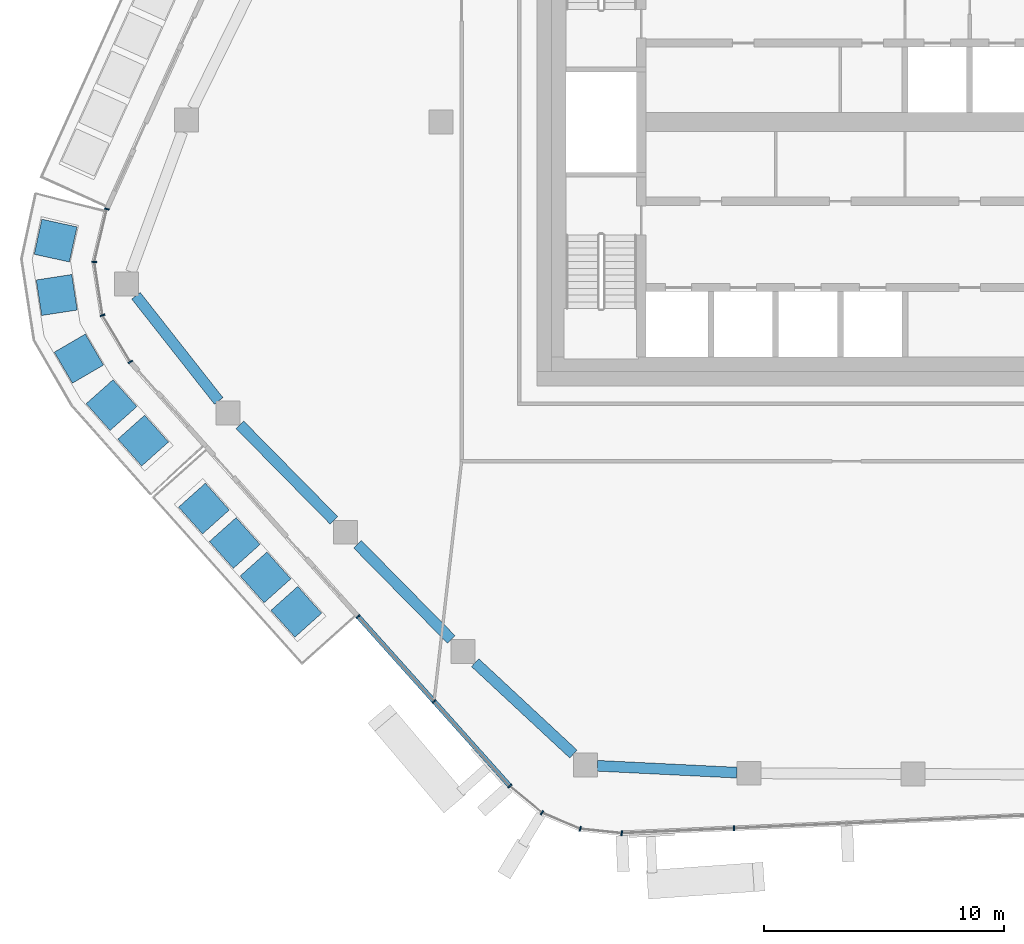
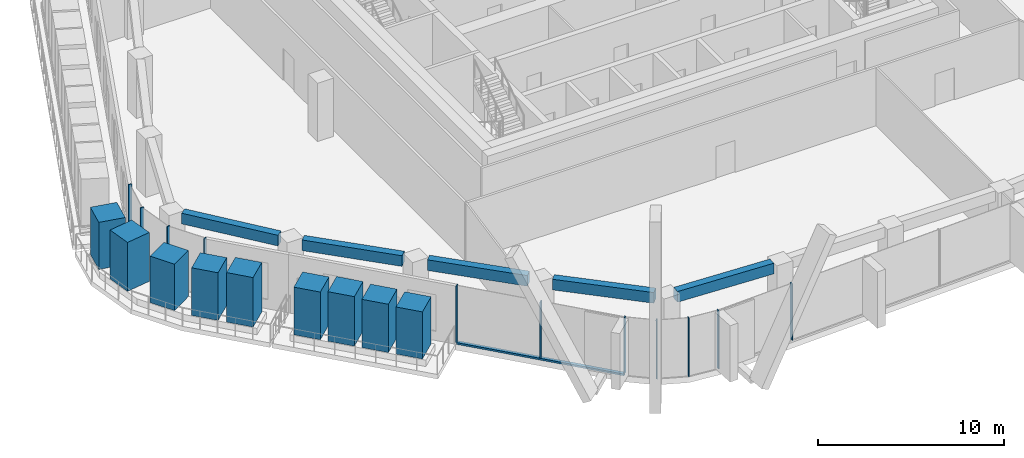
# One storey, part 2 of 23: 21 members, 5 beams, 4 elements without a shape of their own.
"""IFC4 building model written with IfcOpenShell, lengths in metres."""

from ifc_helpers import new_model, si_unit, direction, frame, origin, origin_2d, place, context, subcontext, project, spatial, rectangle, extrude, material, layer, layer_set, material_profile, profile_set, type_object, element, aggregate, save


model = new_model("IFC4")

# Units and contexts
model_context = context("Model", 3, precision=1e-05, world=origin(), true_north=direction((0.0, 1.0)))
body_context = subcontext(model_context, "Body", "Model", "MODEL_VIEW")
ifc_project = project(units=[si_unit("LENGTHUNIT", "METRE"), si_unit("AREAUNIT", "SQUARE_METRE"), si_unit("VOLUMEUNIT", "CUBIC_METRE"), si_unit("PLANEANGLEUNIT", "RADIAN"), si_unit("MASSUNIT", "GRAM", prefix="KILO")], contexts=[model_context])

# Site, building, storey
site_placement = place(None, origin())
site = spatial("IfcSite", under=ifc_project, at=site_placement, CompositionType="ELEMENT")
building_placement = place(site_placement, origin())
building = spatial("IfcBuilding", under=site, at=building_placement, Name="Dongbaek Canopy Tower", CompositionType="ELEMENT")
storey_placement = place(building_placement, frame((0.0, 0.0, 319.39990234375)))
storey = spatial("IfcBuildingStorey", under=building, at=storey_placement, Name="L68", CompositionType="ELEMENT", Elevation=319.39990234375)

# Curtain wall, members
ifc_material_1 = material(Name="Aluminium 6063-T6 pale anodised", Category="aluminium")
ifc_layer = layer(ifc_material_1, 0.199951171875)
ifc_layer_set = layer_set([ifc_layer], Name="CW-1 unitised tower curtain wall")
curtain_wall_type = type_object("IfcCurtainWallType", Name="CW-1 unitised tower curtain wall", PredefinedType="NOTDEFINED", material=ifc_layer_set)
curtain_wall_1_placement = place(storey_placement, origin())
curtain_wall_1 = element("IfcCurtainWall", 1, at=curtain_wall_1_placement, inside=storey, type_object=curtain_wall_type, Name="CW-1 curtain wall K3.1", PredefinedType="NOTDEFINED")
ifc_material_2 = material(Name="Aluminium 6063-T6 pale anodised", Category="aluminium")
ifc_material_profile_1 = material_profile(ifc_material_2, rectangle(XDim=0.199951171875, YDim=0.06005859375, at=origin_2d()), Name="CW-1 mullion 60 x 200")
ifc_profile_set_1 = profile_set([ifc_material_profile_1], Name="Aluminium 6063-T6 pale anodised")
member_type_1 = type_object("IfcMemberType", Name="CW-1 mullion 60 x 200", PredefinedType="MULLION", material=ifc_profile_set_1)
member_1_placement = place(storey_placement, frame((-31.9521484375, -3.625244140625, 0.0), z_axis=(0.0, 0.0, 1.0), x_axis=(-0.973135778098, 0.2302319643, 0.0)))
member_1 = element("IfcMember", 2, at=member_1_placement, type_object=member_type_1, Name="CW-1 mullion K3.1.1", PredefinedType="MULLION", context=body_context, shape_type="SweptSolid", body=[
    extrude(rectangle(XDim=0.199951171875, YDim=0.06005859375, at=origin_2d()), origin(), (0.0, 0.0, 1.0), 3.820068359375),
])
member_2_placement = place(storey_placement, frame((-32.473876953125, -5.83056640625, 0.0), z_axis=(0.0, 0.0, 1.0), x_axis=(-0.999206093675, 0.039839457356, 0.0)))
member_2 = element("IfcMember", 3, at=member_2_placement, type_object=member_type_1, Name="CW-1 mullion K3.1.2", PredefinedType="MULLION", context=body_context, shape_type="SweptSolid", body=[
    extrude(rectangle(XDim=0.199951171875, YDim=0.06005859375, at=origin_2d()), origin(), (0.0, 0.0, 1.0), 3.820068359375),
])
member_3_placement = place(storey_placement, frame((-32.130859375, -8.060791015625, 0.0), z_axis=(0.0, 0.0, 1.0), x_axis=(-0.941047691225, -0.338273916878, 0.0)))
member_3 = element("IfcMember", 4, at=member_3_placement, type_object=member_type_1, Name="CW-1 mullion K3.1.3", PredefinedType="MULLION", context=body_context, shape_type="SweptSolid", body=[
    extrude(rectangle(XDim=0.199951171875, YDim=0.06005859375, at=origin_2d()), origin(), (0.0, 0.0, 1.0), 3.820068359375),
])
member_4_placement = place(storey_placement, frame((-30.970458984375, -10.00732421875, 0.0), z_axis=(0.0, 0.0, 1.0), x_axis=(-0.858966702987, -0.512031447433, 0.0)))
member_4 = element("IfcMember", 5, at=member_4_placement, type_object=member_type_1, Name="CW-1 mullion K3.1.4", PredefinedType="MULLION", context=body_context, shape_type="SweptSolid", body=[
    extrude(rectangle(XDim=0.199951171875, YDim=0.06005859375, at=origin_2d()), origin(), (0.0, 0.0, 1.0), 3.820068359375),
])
aggregate(curtain_wall_1, [member_1, member_2, member_3, member_4])

curtain_wall_2_placement = place(storey_placement, origin())
curtain_wall_2 = element("IfcCurtainWall", 6, at=curtain_wall_2_placement, inside=storey, type_object=curtain_wall_type, Name="CW-1 curtain wall F3.1", PredefinedType="NOTDEFINED")
member_5_placement = place(storey_placement, frame((-21.468017578125, -20.625244140625, 0.1201171875), z_axis=(0.0, 0.0, 1.0), x_axis=(-0.745164960814, -0.666880185022, 0.0)))
member_5 = element("IfcMember", 7, at=member_5_placement, type_object=member_type_1, Name="CW-1 mullion F3.1.1", PredefinedType="MULLION", context=body_context, shape_type="SweptSolid", body=[
    extrude(rectangle(XDim=0.199951171875, YDim=0.06005859375, at=origin_2d()), origin(), (0.0, 0.0, 1.0), 3.699951171875),
])
member_6_placement = place(storey_placement, frame((-18.29833984375, -24.1669921875, 0.1201171875), z_axis=(0.0, 0.0, 1.0), x_axis=(-0.745164960814, -0.666880185022, 0.0)))
member_6 = element("IfcMember", 8, at=member_6_placement, type_object=member_type_1, Name="CW-1 mullion F3.1.2", PredefinedType="MULLION", context=body_context, shape_type="SweptSolid", body=[
    extrude(rectangle(XDim=0.199951171875, YDim=0.06005859375, at=origin_2d()), origin(), (0.0, 0.0, 1.0), 3.699951171875),
])
member_7_placement = place(storey_placement, frame((-15.1337890625, -27.703125, 0.1201171875), z_axis=(0.0, 0.0, 1.0), x_axis=(-0.745164960814, -0.666880185022, 0.0)))
member_7 = element("IfcMember", 9, at=member_7_placement, type_object=member_type_1, Name="CW-1 mullion F3.1.3", PredefinedType="MULLION", context=body_context, shape_type="SweptSolid", body=[
    extrude(rectangle(XDim=0.199951171875, YDim=0.06005859375, at=origin_2d()), origin(), (0.0, 0.0, 1.0), 3.699951171875),
])

curtain_wall_3_placement = place(storey_placement, origin())
curtain_wall_3 = element("IfcCurtainWall", 10, at=curtain_wall_3_placement, inside=storey, type_object=curtain_wall_type, Name="CW-1 curtain wall K4.1", PredefinedType="NOTDEFINED")
member_8_placement = place(storey_placement, frame((-13.79541015625, -28.8154296875, 0.0), z_axis=(0.0, 0.0, 1.0), x_axis=(-0.519266943257, -0.854612100102, 0.0)))
member_8 = element("IfcMember", 11, at=member_8_placement, type_object=member_type_1, Name="CW-1 mullion K4.1.2", PredefinedType="MULLION", context=body_context, shape_type="SweptSolid", body=[
    extrude(rectangle(XDim=0.199951171875, YDim=0.06005859375, at=origin_2d()), origin(), (0.0, 0.0, 1.0), 3.820068359375),
])
member_9_placement = place(storey_placement, frame((-12.198486328125, -29.48779296875, 0.0), z_axis=(0.0, 0.0, 1.0), x_axis=(-0.248570111979, -0.968613906276, 0.0)))
member_9 = element("IfcMember", 12, at=member_9_placement, type_object=member_type_1, Name="CW-1 mullion K4.1.3", PredefinedType="MULLION", context=body_context, shape_type="SweptSolid", body=[
    extrude(rectangle(XDim=0.199951171875, YDim=0.06005859375, at=origin_2d()), origin(), (0.0, 0.0, 1.0), 3.820068359375),
])
member_10_placement = place(storey_placement, frame((-10.4677734375, -29.668212890625, 0.0), z_axis=(0.0, 0.0, 1.0), x_axis=(-0.103622803641, -0.994616667146, 0.0)))
member_10 = element("IfcMember", 13, at=member_10_placement, type_object=member_type_1, Name="CW-1 mullion K4.1.4", PredefinedType="MULLION", context=body_context, shape_type="SweptSolid", body=[
    extrude(rectangle(XDim=0.199951171875, YDim=0.06005859375, at=origin_2d()), origin(), (0.0, 0.0, 1.0), 3.820068359375),
])
aggregate(curtain_wall_3, [member_8, member_9, member_10])

# Curtain wall, member
curtain_wall_4_placement = place(storey_placement, origin())
curtain_wall_4 = element("IfcCurtainWall", 14, at=curtain_wall_4_placement, inside=storey, type_object=curtain_wall_type, Name="CW-1 curtain wall F4.1", PredefinedType="NOTDEFINED")
member_11_placement = place(storey_placement, frame((-5.780517578125, -29.4638671875, 0.1201171875), z_axis=(0.0, 0.0, 1.0), x_axis=(0.04357165489, -0.999050304484, 0.0)))
member_11 = element("IfcMember", 15, at=member_11_placement, type_object=member_type_1, Name="CW-1 mullion F4.1.2", PredefinedType="MULLION", context=body_context, shape_type="SweptSolid", body=[
    extrude(rectangle(XDim=0.199951171875, YDim=0.06005859375, at=origin_2d()), origin(), (0.0, 0.0, 1.0), 3.699951171875),
])
aggregate(curtain_wall_4, [member_11])

# Member
ifc_material_3 = material(Name="Aluminium 6063-T6 pale anodised", Category="aluminium")
ifc_material_profile_2 = material_profile(ifc_material_3, rectangle(XDim=0.199951171875, YDim=0.1201171875, at=origin_2d()), Name="CW-1 transom 120 x 200")
ifc_profile_set_2 = profile_set([ifc_material_profile_2], Name="Aluminium 6063-T6 pale anodised")
member_type_2 = type_object("IfcMemberType", Name="CW-1 transom 120 x 200", PredefinedType="USERDEFINED", material=ifc_profile_set_2)
member_12_placement = place(storey_placement, frame((-21.468017578125, -20.625244140625, 0.06005859375), z_axis=(0.66687599933, -0.745168706748, 0.0), x_axis=(0.745168706748, 0.66687599933, 0.0)))
member_12 = element("IfcMember", 16, at=member_12_placement, type_object=member_type_2, Name="CW-1 transom F3.1.1", ObjectType="TRANSOM", PredefinedType="USERDEFINED", context=body_context, shape_type="SweptSolid", body=[
    extrude(rectangle(XDim=0.199951171875, YDim=0.1201171875, at=origin_2d()), origin(), (0.0, 0.0, 1.0), 9.498291015625),
])

aggregate(curtain_wall_2, [member_5, member_6, member_7, member_12])

# Beams
ifc_material_4 = material(Name="Concrete C60", Category="concrete")
ifc_material_profile_3 = material_profile(ifc_material_4, rectangle(XDim=0.449951171875, YDim=0.699951171875, at=origin_2d()), Name="RC EDGE BEAM 450x700 C60")
ifc_profile_set_3 = profile_set([ifc_material_profile_3], Name="Concrete C60")
beam_type = type_object("IfcBeamType", Name="RC EDGE BEAM 450x700 C60", PredefinedType="BEAM", material=ifc_profile_set_3)
beam_1_placement = place(storey_placement, frame((-5.666015625, -27.142333984375, 3.47021484375), z_axis=(-0.998789160621, 0.049195656579, 0.0), x_axis=(-0.049195656579, -0.998789160621, 0.0)))
element("IfcBeam", 17, at=beam_1_placement, inside=storey, type_object=beam_type, Name="EDGEBEAM:L68:03", PredefinedType="BEAM", context=body_context, shape_type="SweptSolid", body=[
    extrude(rectangle(XDim=0.449951171875, YDim=0.699951171875, at=origin_2d()), origin(), (0.0, 0.0, 1.0), 5.826171875),
])
beam_2_placement = place(storey_placement, frame((-12.485107421875, -26.365966796875, 3.47021484375), z_axis=(-0.732266655485, 0.681018021248, 0.0), x_axis=(-0.681018021248, -0.732266655485, 0.0)))
element("IfcBeam", 18, at=beam_2_placement, inside=storey, type_object=beam_type, Name="EDGEBEAM:L68:04", PredefinedType="BEAM", context=body_context, shape_type="SweptSolid", body=[
    extrude(rectangle(XDim=0.449951171875, YDim=0.699951171875, at=origin_2d()), origin(), (0.0, 0.0, 1.0), 5.597412109375),
])
beam_3_placement = place(storey_placement, frame((-17.576416015625, -21.589111328125, 3.47021484375), z_axis=(-0.701706740597, 0.712465894062, 0.0), x_axis=(-0.712465894062, -0.701706740597, 0.0)))
element("IfcBeam", 19, at=beam_3_placement, inside=storey, type_object=beam_type, Name="EDGEBEAM:L68:05", PredefinedType="BEAM", context=body_context, shape_type="SweptSolid", body=[
    extrude(rectangle(XDim=0.449951171875, YDim=0.699951171875, at=origin_2d()), origin(), (0.0, 0.0, 1.0), 5.58203125),
])
beam_4_placement = place(storey_placement, frame((-22.478515625, -16.612060546875, 3.47021484375), z_axis=(-0.701708081315, 0.712464573588, 0.0), x_axis=(-0.712464573588, -0.701708081315, 0.0)))
element("IfcBeam", 20, at=beam_4_placement, inside=storey, type_object=beam_type, Name="EDGEBEAM:L68:06", PredefinedType="BEAM", context=body_context, shape_type="SweptSolid", body=[
    extrude(rectangle(XDim=0.449951171875, YDim=0.699951171875, at=origin_2d()), origin(), (0.0, 0.0, 1.0), 5.58349609375),
])
beam_5_placement = place(storey_placement, frame((-27.282470703125, -11.634033203125, 3.47021484375), z_axis=(-0.618340786972, 0.78591009102, 0.0), x_axis=(-0.78591009102, -0.618340786972, 0.0)))
element("IfcBeam", 21, at=beam_5_placement, inside=storey, type_object=beam_type, Name="EDGEBEAM:L68:07", PredefinedType="BEAM", context=body_context, shape_type="SweptSolid", body=[
    extrude(rectangle(XDim=0.449951171875, YDim=0.699951171875, at=origin_2d()), origin(), (0.0, 0.0, 1.0), 5.58447265625),
])

# Members
ifc_material_5 = material(Name="Concrete C40/50 planter mass with planting", Category="concrete")
ifc_material_profile_4 = material_profile(ifc_material_5, rectangle(XDim=1.5, YDim=1.5, at=origin_2d()), Name="Terrace PLANTER shrub mass 1500 x 1500")
ifc_profile_set_4 = profile_set([ifc_material_profile_4], Name="Concrete C40/50 planter mass with planting")
member_type_3 = type_object("IfcMemberType", Name="Terrace PLANTER shrub mass 1500 x 1500", PredefinedType="USERDEFINED", material=ifc_profile_set_4)
member_13_placement = place(storey_placement, frame((-27.8984375, -16.1240234375, 0.420166015625), z_axis=(0.0, 0.0, 1.0), x_axis=(-0.745164960814, -0.666880185022, 0.0)))
element("IfcMember", 22, at=member_13_placement, inside=storey, type_object=member_type_3, Name="Planter shrubs L68 3.1", ObjectType="PLANTER", PredefinedType="USERDEFINED", context=body_context, shape_type="SweptSolid", body=[
    extrude(rectangle(XDim=1.5, YDim=1.5, at=origin_2d()), origin(), (0.0, 0.0, 1.0), 3.1298828125),
])
member_14_placement = place(storey_placement, frame((-26.61376953125, -17.5595703125, 0.420166015625), z_axis=(0.0, 0.0, 1.0), x_axis=(-0.745164960814, -0.666880185022, 0.0)))
element("IfcMember", 23, at=member_14_placement, inside=storey, type_object=member_type_3, Name="Planter shrubs L68 3.2", ObjectType="PLANTER", PredefinedType="USERDEFINED", context=body_context, shape_type="SweptSolid", body=[
    extrude(rectangle(XDim=1.5, YDim=1.5, at=origin_2d()), origin(), (0.0, 0.0, 1.0), 3.25),
])
member_15_placement = place(storey_placement, frame((-25.3291015625, -18.9951171875, 0.420166015625), z_axis=(0.0, 0.0, 1.0), x_axis=(-0.745164960814, -0.666880185022, 0.0)))
element("IfcMember", 24, at=member_15_placement, inside=storey, type_object=member_type_3, Name="Planter shrubs L68 3.3", ObjectType="PLANTER", PredefinedType="USERDEFINED", context=body_context, shape_type="SweptSolid", body=[
    extrude(rectangle(XDim=1.5, YDim=1.5, at=origin_2d()), origin(), (0.0, 0.0, 1.0), 3.169921875),
])
for number, where, z_axis, x_axis, name in (
    (25, (-24.04443359375, -20.4306640625, 0.420166015625), (0.0, 0.0, 1.0), (-0.745164960814, -0.666880185022, 0.0), "Planter shrubs L68 3.4"),
    (26, (-34.08740234375, -4.94384765625, 0.420166015625), (0.0, 0.0, 1.0), (-0.977270479561, 0.211996249443, 0.0), "Planter shrubs L68 6.1"),
):
    element("IfcMember", number, at=place(storey_placement, frame(where, z_axis=z_axis, x_axis=x_axis)), inside=storey, type_object=member_type_3, Name=name, ObjectType="PLANTER", PredefinedType="USERDEFINED", context=body_context, shape_type="SweptSolid", body=[
        extrude(rectangle(XDim=1.5, YDim=1.5, at=origin_2d()), origin(), (0.0, 0.0, 1.0), 3.08984375),
    ])
member_16_placement = place(storey_placement, frame((-34.040771484375, -7.213134765625, 0.420166015625), z_axis=(0.0, 0.0, 1.0), x_axis=(-0.988376759336, -0.152024279653, 0.0)))
element("IfcMember", 27, at=member_16_placement, inside=storey, type_object=member_type_3, Name="Planter shrubs L68 6.2", ObjectType="PLANTER", PredefinedType="USERDEFINED", context=body_context, shape_type="SweptSolid", body=[
    extrude(rectangle(XDim=1.5, YDim=1.5, at=origin_2d()), origin(), (0.0, 0.0, 1.0), 3.2099609375),
])
member_17_placement = place(storey_placement, frame((-33.115234375, -9.867431640625, 0.420166015625), z_axis=(0.0, 0.0, 1.0), x_axis=(-0.863241885655, -0.50479049798, 0.0)))
element("IfcMember", 28, at=member_17_placement, inside=storey, type_object=member_type_3, Name="Planter shrubs L68 6.3", ObjectType="PLANTER", PredefinedType="USERDEFINED", context=body_context, shape_type="SweptSolid", body=[
    extrude(rectangle(XDim=1.5, YDim=1.5, at=origin_2d()), origin(), (0.0, 0.0, 1.0), 3.050048828125),
])
member_18_placement = place(storey_placement, frame((-31.753662109375, -11.8076171875, 0.420166015625), z_axis=(0.0, 0.0, 1.0), x_axis=(-0.746478558411, -0.665409469299, 0.0)))
element("IfcMember", 29, at=member_18_placement, inside=storey, type_object=member_type_3, Name="Planter shrubs L68 6.4", ObjectType="PLANTER", PredefinedType="USERDEFINED", context=body_context, shape_type="SweptSolid", body=[
    extrude(rectangle(XDim=1.5, YDim=1.5, at=origin_2d()), origin(), (0.0, 0.0, 1.0), 3.1298828125),
])
member_19_placement = place(storey_placement, frame((-30.434326171875, -13.28759765625, 0.420166015625), z_axis=(0.0, 0.0, 1.0), x_axis=(-0.746478558411, -0.665409469299, 0.0)))
element("IfcMember", 30, at=member_19_placement, inside=storey, type_object=member_type_3, Name="Planter shrubs L68 6.5", ObjectType="PLANTER", PredefinedType="USERDEFINED", context=body_context, shape_type="SweptSolid", body=[
    extrude(rectangle(XDim=1.5, YDim=1.5, at=origin_2d()), origin(), (0.0, 0.0, 1.0), 3.25),
])

save(model, "model.ifc")
